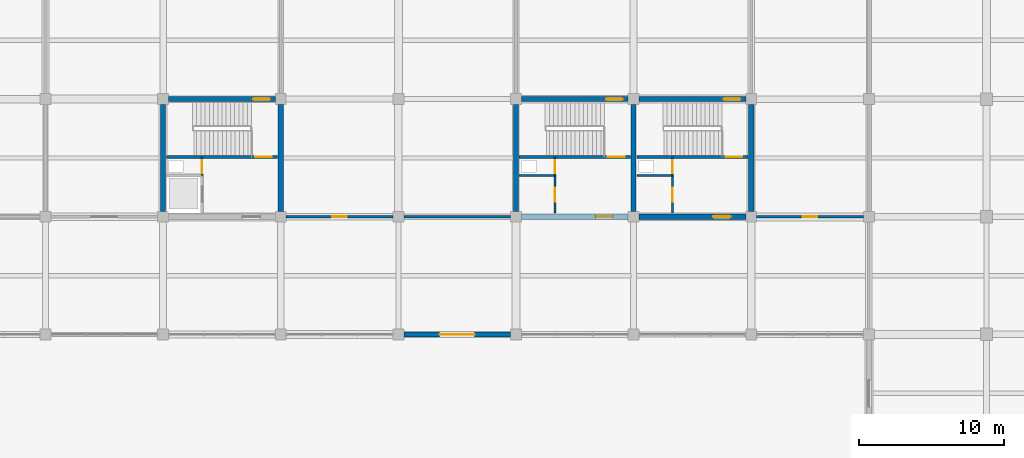
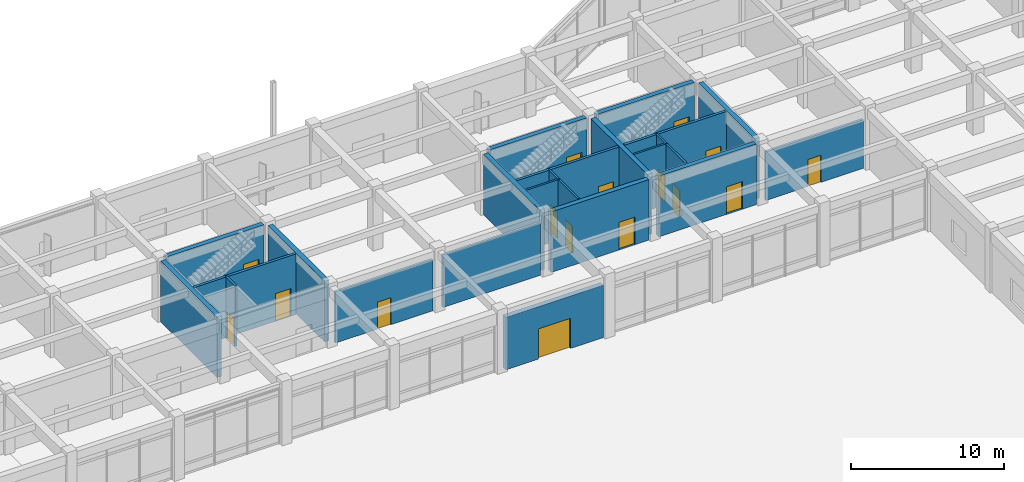
# One storey, part 67 of 99: 24 walls, 16 doors, 16 openings.
"""IFC4 building model written with IfcOpenShell, lengths in metres."""

from ifc_helpers import new_model, si_unit, direction, frame, frame_2d, origin, place, context, subcontext, project, spatial, rectangle, extrude, material, layer, layer_set, type_object, element, fill, save


model = new_model("IFC4")

# Units and contexts
model_context = context("Model", 3, precision=1e-05, world=origin(), true_north=direction((0.0, 1.0)))
body_context = subcontext(model_context, "Body", "Model", "MODEL_VIEW")
ifc_project = project(units=[si_unit("LENGTHUNIT", "METRE"), si_unit("AREAUNIT", "SQUARE_METRE"), si_unit("VOLUMEUNIT", "CUBIC_METRE"), si_unit("PLANEANGLEUNIT", "RADIAN"), si_unit("MASSUNIT", "GRAM", prefix="KILO")], contexts=[model_context])

# Site, building, storey
site_placement = place(None, origin())
site = spatial("IfcSite", under=ifc_project, at=site_placement, CompositionType="ELEMENT")
building_placement = place(site_placement, origin())
building = spatial("IfcBuilding", under=site, at=building_placement, Name="Vaudrelin Polytechnic", CompositionType="ELEMENT")
storey_placement = place(building_placement, origin())
storey = spatial("IfcBuildingStorey", under=building, at=storey_placement, Name="L00", CompositionType="ELEMENT", Elevation=0.0)

# Wall, opening, door
ifc_material_1 = material(Name="Precast concrete 35 MPa with standing-seam zinc rainscreen", Category="concrete")
ifc_layer_1 = layer(ifc_material_1, 0.360107421875)
ifc_layer_set_1 = layer_set([ifc_layer_1], Name="Precast concrete 35 MPa with standing-seam zinc rainscreen")
wall_type_1 = type_object("IfcWallType", Name="WAL-EW-ZINC360", PredefinedType="STANDARD", material=ifc_layer_set_1)
wall_1_placement = place(storey_placement, frame((97.572998046875, 97.199951171875, 0.0), z_axis=(0.0, 0.0, 1.0), x_axis=(1.0, 0.0, 0.0)))
wall_1 = element("IfcWall", 1, at=wall_1_placement, inside=storey, type_object=wall_type_1, Name="Exterior wall L00 CT_N_08", PredefinedType="STANDARD", context=body_context, shape_type="SweptSolid", body=[
    extrude(rectangle(XDim=7.35400390625, YDim=0.360107421875, at=frame_2d((3.677001953125, 0.0))), origin(), (0.0, 0.0, 1.0), 4.172119140625),
])
opening_1_placement = place(wall_1_placement, frame((4.876953125, 0.0, 0.0), z_axis=(0.0, 0.0, 1.0), x_axis=(-1.0, 0.0, 0.0)))
opening_1 = element("IfcOpeningElement", 2, at=opening_1_placement, cuts=wall_1, Name="Opening ED-00-27", PredefinedType="OPENING", context=body_context, shape_type="SweptSolid", body=[
    extrude(rectangle(XDim=2.39990234375, YDim=2.39990234375, at=frame_2d((1.199951171875, 1.199951171875))), frame((0.0, 0.18994140625, 0.0), z_axis=(0.0, -1.0, 0.0), x_axis=(1.0, 0.0, 0.0)), (0.0, 0.0, 1.0), 0.380126953125),
])
ifc_material_2 = material(Name="Thermally broken anodised aluminium AA 6063-T6", Category="aluminium")
door_type_1 = type_object("IfcDoorType", Name="DOR-ED-01", OperationType="DOUBLE_SWING_LEFT", PredefinedType="DOOR", material=ifc_material_2)
door_1_placement = place(opening_1_placement, origin())
door_1 = element("IfcDoor", 3, at=door_1_placement, inside=storey, type_object=door_type_1, Name="Exterior exit door ED-00-27", OperationType="DOUBLE_SWING_LEFT", OverallHeight=2.39990234375, OverallWidth=2.39990234375, PredefinedType="DOOR", context=body_context, shape_type="SweptSolid", body=[
    extrude(rectangle(XDim=2.39990234375, YDim=2.39990234375, at=frame_2d((1.199951171875, 1.199951171875))), frame((0.0, 0.02490234375, 0.0), z_axis=(0.0, -1.0, 0.0), x_axis=(1.0, 0.0, 0.0)), (0.0, 0.0, 1.0), 0.050048828125),
])
fill(opening_1, door_1)

ifc_material_3 = material(Name="Acoustic double-stud gypsum & mineral-wool partition", Category="gypsum")
ifc_layer_2 = layer(ifc_material_3, 0.179931640625)
ifc_layer_set_2 = layer_set([ifc_layer_2], Name="Acoustic double-stud gypsum & mineral-wool partition")
wall_type_2 = type_object("IfcWallType", Name="WAL-PW-AC180", PredefinedType="PARTITIONING", material=ifc_layer_set_2)
wall_2_placement = place(storey_placement, frame((89.472900390625, 105.300048828125, 0.0), z_axis=(0.0, 0.0, 1.0), x_axis=(1.0, 0.0, 0.0)))
wall_2 = element("IfcWall", 4, at=wall_2_placement, inside=storey, type_object=wall_type_2, Name="Partition L00-018 S", PredefinedType="PARTITIONING", context=body_context, shape_type="SweptSolid", body=[
    extrude(rectangle(XDim=7.35400390625, YDim=0.179931640625, at=frame_2d((3.677001953125, 0.0))), origin(), (0.0, 0.0, 1.0), 4.072021484375),
])
opening_2_placement = place(wall_2_placement, frame((3.177001953125, 0.0, 0.0)))
opening_2 = element("IfcOpeningElement", 5, at=opening_2_placement, cuts=wall_2, Name="Opening D-L00-433", PredefinedType="OPENING", context=body_context, shape_type="SweptSolid", body=[
    extrude(rectangle(XDim=1.0, YDim=2.14990234375, at=frame_2d((0.5, 1.074951171875))), frame((0.0, 0.10009765625, 0.0), z_axis=(0.0, -1.0, 0.0), x_axis=(1.0, 0.0, 0.0)), (0.0, 0.0, 1.0), 0.199951171875),
])
ifc_material_4 = material(Name="Solid-core birch veneer acoustic leaf", Category="wood")
door_type_2 = type_object("IfcDoorType", Name="DOR-ID-SEM1", OperationType="NOTDEFINED", PredefinedType="DOOR", material=ifc_material_4)
door_2_placement = place(opening_2_placement, origin())
door_2 = element("IfcDoor", 6, at=door_2_placement, inside=storey, type_object=door_type_2, Name="Seminar Room 002 door L00-018", OperationType="SINGLE_SWING_LEFT", OverallHeight=2.14990234375, OverallWidth=1.0, PredefinedType="DOOR", context=body_context, shape_type="SweptSolid", body=[
    extrude(rectangle(XDim=1.0, YDim=2.14990234375, at=frame_2d((0.5, 1.074951171875))), frame((0.0, 0.02490234375, 0.0), z_axis=(0.0, -1.0, 0.0), x_axis=(1.0, 0.0, 0.0)), (0.0, 0.0, 1.0), 0.050048828125),
])
fill(opening_2, door_2)

# Wall
wall_3_placement = place(storey_placement, frame((97.572998046875, 105.300048828125, 0.0), z_axis=(0.0, 0.0, 1.0), x_axis=(1.0, 0.0, 0.0)))
element("IfcWall", 7, at=wall_3_placement, inside=storey, type_object=wall_type_2, Name="Partition L00-018 S", PredefinedType="PARTITIONING", context=body_context, shape_type="SweptSolid", body=[
    extrude(rectangle(XDim=7.35400390625, YDim=0.179931640625, at=frame_2d((3.677001953125, 0.0))), origin(), (0.0, 0.0, 1.0), 4.172119140625),
])

# Wall, opening, door
wall_4_placement = place(storey_placement, frame((121.873046875, 105.300048828125, 0.0), z_axis=(0.0, 0.0, 1.0), x_axis=(1.0, 0.0, 0.0)))
wall_4 = element("IfcWall", 8, at=wall_4_placement, inside=storey, type_object=wall_type_2, Name="Partition L00-019 S", PredefinedType="PARTITIONING", context=body_context, shape_type="SweptSolid", body=[
    extrude(rectangle(XDim=7.35400390625, YDim=0.179931640625, at=frame_2d((3.677001953125, 0.0))), origin(), (0.0, 0.0, 1.0), 3.8720703125),
])
opening_3_placement = place(wall_4_placement, frame((3.177001953125, 0.0, 0.0)))
opening_3 = element("IfcOpeningElement", 9, at=opening_3_placement, cuts=wall_4, Name="Opening D-L00-434", PredefinedType="OPENING", context=body_context, shape_type="SweptSolid", body=[
    extrude(rectangle(XDim=1.0, YDim=2.14990234375, at=frame_2d((0.5, 1.074951171875))), frame((0.0, 0.10009765625, 0.0), z_axis=(0.0, -1.0, 0.0), x_axis=(1.0, 0.0, 0.0)), (0.0, 0.0, 1.0), 0.199951171875),
])
door_3_placement = place(opening_3_placement, origin())
door_3 = element("IfcDoor", 10, at=door_3_placement, inside=storey, type_object=door_type_2, Name="Seminar Room 005 door L00-019", OperationType="SINGLE_SWING_RIGHT", OverallHeight=2.14990234375, OverallWidth=1.0, PredefinedType="DOOR", context=body_context, shape_type="SweptSolid", body=[
    extrude(rectangle(XDim=1.0, YDim=2.14990234375, at=frame_2d((0.5, 1.074951171875))), frame((0.0, 0.02490234375, 0.0), z_axis=(0.0, -1.0, 0.0), x_axis=(1.0, 0.0, 0.0)), (0.0, 0.0, 1.0), 0.050048828125),
])
fill(opening_3, door_3)

ifc_material_5 = material(Name="Fire-rated steel-stud gypsum compartment wall", Category="steel")
ifc_layer_3 = layer(ifc_material_5, 0.14990234375)
ifc_layer_set_3 = layer_set([ifc_layer_3], Name="Fire-rated steel-stud gypsum compartment wall")
wall_type_3 = type_object("IfcWallType", Name="WAL-PW-FIRE60", PredefinedType="PARTITIONING", material=ifc_layer_set_3)
wall_5_placement = place(storey_placement, frame((83.679931640625, 108.14990234375, 0.0), z_axis=(0.0, 0.0, 1.0), x_axis=(0.0, 1.0, 0.0)))
wall_5 = element("IfcWall", 11, at=wall_5_placement, inside=storey, type_object=wall_type_3, Name="Core C2 riser enclosure wall L00", PredefinedType="PARTITIONING", context=body_context, shape_type="SweptSolid", body=[
    extrude(rectangle(XDim=1.260009765625, YDim=0.14990234375, at=frame_2d((0.6298828125, 0.0))), origin(), (0.0, 0.0, 1.0), 4.822021484375),
])
opening_4_placement = place(wall_5_placement, frame((0.139892578125, 0.0, 0.0)))
opening_4 = element("IfcOpeningElement", 12, at=opening_4_placement, cuts=wall_5, Name="Opening D-L00-029", PredefinedType="OPENING", context=body_context, shape_type="SweptSolid", body=[
    extrude(rectangle(XDim=0.89990234375, YDim=2.14990234375, at=frame_2d((0.449951171875, 1.074951171875))), frame((0.0, 0.0849609375, 0.0), z_axis=(0.0, -1.0, 0.0), x_axis=(1.0, 0.0, 0.0)), (0.0, 0.0, 1.0), 0.169921875),
])
ifc_material_6 = material(Name="Pressed galvanised steel acoustic leaf", Category="steel")
door_type_3 = type_object("IfcDoorType", Name="DOR-ID-RSR1", OperationType="NOTDEFINED", PredefinedType="DOOR", material=ifc_material_6)
door_4_placement = place(opening_4_placement, origin())
door_4 = element("IfcDoor", 13, at=door_4_placement, inside=storey, type_object=door_type_3, Name="Core C2 riser access door L00", OperationType="SINGLE_SWING_RIGHT", OverallHeight=2.14990234375, OverallWidth=0.89990234375, PredefinedType="DOOR", context=body_context, shape_type="SweptSolid", body=[
    extrude(rectangle(XDim=0.89990234375, YDim=2.14990234375, at=frame_2d((0.449951171875, 1.074951171875))), frame((0.0, 0.02490234375, 0.0), z_axis=(0.0, -1.0, 0.0), x_axis=(1.0, 0.0, 0.0)), (0.0, 0.0, 1.0), 0.050048828125),
])
fill(opening_4, door_4)

wall_6_placement = place(storey_placement, frame((116.080078125, 108.14990234375, 0.0), z_axis=(0.0, 0.0, 1.0), x_axis=(0.0, 1.0, 0.0)))
wall_6 = element("IfcWall", 14, at=wall_6_placement, inside=storey, type_object=wall_type_3, Name="Core C10 riser enclosure wall L00", PredefinedType="PARTITIONING", context=body_context, shape_type="SweptSolid", body=[
    extrude(rectangle(XDim=1.260009765625, YDim=0.14990234375, at=frame_2d((0.6298828125, 0.0))), origin(), (0.0, 0.0, 1.0), 4.822021484375),
])
opening_5_placement = place(wall_6_placement, frame((0.139892578125, 0.0, 0.0)))
opening_5 = element("IfcOpeningElement", 15, at=opening_5_placement, cuts=wall_6, Name="Opening D-L00-210", PredefinedType="OPENING", context=body_context, shape_type="SweptSolid", body=[
    extrude(rectangle(XDim=0.89990234375, YDim=2.14990234375, at=frame_2d((0.449951171875, 1.074951171875))), frame((0.0, 0.0849609375, 0.0), z_axis=(0.0, -1.0, 0.0), x_axis=(1.0, 0.0, 0.0)), (0.0, 0.0, 1.0), 0.169921875),
])
door_5_placement = place(opening_5_placement, origin())
door_5 = element("IfcDoor", 16, at=door_5_placement, inside=storey, type_object=door_type_3, Name="Core C10 riser access door L00", OperationType="SINGLE_SWING_RIGHT", OverallHeight=2.14990234375, OverallWidth=0.89990234375, PredefinedType="DOOR", context=body_context, shape_type="SweptSolid", body=[
    extrude(rectangle(XDim=0.89990234375, YDim=2.14990234375, at=frame_2d((0.449951171875, 1.074951171875))), frame((0.0, 0.02490234375, 0.0), z_axis=(0.0, -1.0, 0.0), x_axis=(1.0, 0.0, 0.0)), (0.0, 0.0, 1.0), 0.050048828125),
])
fill(opening_5, door_5)

# Wall
wall_7_placement = place(storey_placement, frame((113.6201171875, 108.14990234375, 0.0), z_axis=(0.0, 0.0, 1.0), x_axis=(1.0, 0.0, 0.0)))
element("IfcWall", 17, at=wall_7_placement, inside=storey, type_object=wall_type_3, Name="Core C10 riser south fire wall L00", PredefinedType="PARTITIONING", context=body_context, shape_type="SweptSolid", body=[
    extrude(rectangle(XDim=2.52978515625, YDim=0.14990234375, at=frame_2d((1.264892578125, 0.0))), origin(), (0.0, 0.0, 1.0), 4.822021484375),
])

# Wall, opening, door
wall_8_placement = place(storey_placement, frame((116.080078125, 105.550048828125, 0.0), z_axis=(0.0, 0.0, 1.0), x_axis=(0.0, 1.0, 0.0)))
wall_8 = element("IfcWall", 18, at=wall_8_placement, inside=storey, type_object=wall_type_3, Name="Core C10 custodial enclosure wall L00", PredefinedType="PARTITIONING", context=body_context, shape_type="SweptSolid", body=[
    extrude(rectangle(XDim=2.599853515625, YDim=0.14990234375, at=frame_2d((1.2998046875, 0.0))), origin(), (0.0, 0.0, 1.0), 4.822021484375),
])
opening_6_placement = place(wall_8_placement, frame((0.800048828125, 0.0, 0.0)))
opening_6 = element("IfcOpeningElement", 19, at=opening_6_placement, cuts=wall_8, Name="Opening D-L00-211", PredefinedType="OPENING", context=body_context, shape_type="SweptSolid", body=[
    extrude(rectangle(XDim=0.949951171875, YDim=2.14990234375, at=frame_2d((0.47509765625, 1.074951171875))), frame((0.0, 0.0849609375, 0.0), z_axis=(0.0, -1.0, 0.0), x_axis=(1.0, 0.0, 0.0)), (0.0, 0.0, 1.0), 0.169921875),
])
door_type_4 = type_object("IfcDoorType", Name="DOR-ID-STR1", OperationType="NOTDEFINED", PredefinedType="DOOR", material=ifc_material_6)
door_6_placement = place(opening_6_placement, origin())
door_6 = element("IfcDoor", 20, at=door_6_placement, inside=storey, type_object=door_type_4, Name="Core C10 custodial door L00", OperationType="SINGLE_SWING_RIGHT", OverallHeight=2.14990234375, OverallWidth=0.949951171875, PredefinedType="DOOR", context=body_context, shape_type="SweptSolid", body=[
    extrude(rectangle(XDim=0.949951171875, YDim=2.14990234375, at=frame_2d((0.47509765625, 1.074951171875))), frame((0.0, 0.02490234375, 0.0), z_axis=(0.0, -1.0, 0.0), x_axis=(1.0, 0.0, 0.0)), (0.0, 0.0, 1.0), 0.050048828125),
])
fill(opening_6, door_6)

wall_9_placement = place(storey_placement, frame((107.97998046875, 108.14990234375, 0.0), z_axis=(0.0, 0.0, 1.0), x_axis=(0.0, 1.0, 0.0)))
wall_9 = element("IfcWall", 21, at=wall_9_placement, inside=storey, type_object=wall_type_3, Name="Core C11 riser enclosure wall L00", PredefinedType="PARTITIONING", context=body_context, shape_type="SweptSolid", body=[
    extrude(rectangle(XDim=1.260009765625, YDim=0.14990234375, at=frame_2d((0.6298828125, 0.0))), origin(), (0.0, 0.0, 1.0), 4.822021484375),
])
opening_7_placement = place(wall_9_placement, frame((0.139892578125, 0.0, 0.0)))
opening_7 = element("IfcOpeningElement", 22, at=opening_7_placement, cuts=wall_9, Name="Opening D-L00-239", PredefinedType="OPENING", context=body_context, shape_type="SweptSolid", body=[
    extrude(rectangle(XDim=0.89990234375, YDim=2.14990234375, at=frame_2d((0.449951171875, 1.074951171875))), frame((0.0, 0.0849609375, 0.0), z_axis=(0.0, -1.0, 0.0), x_axis=(1.0, 0.0, 0.0)), (0.0, 0.0, 1.0), 0.169921875),
])
door_7_placement = place(opening_7_placement, origin())
door_7 = element("IfcDoor", 23, at=door_7_placement, inside=storey, type_object=door_type_3, Name="Core C11 riser access door L00", OperationType="SINGLE_SWING_RIGHT", OverallHeight=2.14990234375, OverallWidth=0.89990234375, PredefinedType="DOOR", context=body_context, shape_type="SweptSolid", body=[
    extrude(rectangle(XDim=0.89990234375, YDim=2.14990234375, at=frame_2d((0.449951171875, 1.074951171875))), frame((0.0, 0.02490234375, 0.0), z_axis=(0.0, -1.0, 0.0), x_axis=(1.0, 0.0, 0.0)), (0.0, 0.0, 1.0), 0.050048828125),
])
fill(opening_7, door_7)

# Wall
wall_10_placement = place(storey_placement, frame((105.52001953125, 108.14990234375, 0.0), z_axis=(0.0, 0.0, 1.0), x_axis=(1.0, 0.0, 0.0)))
element("IfcWall", 24, at=wall_10_placement, inside=storey, type_object=wall_type_3, Name="Core C11 riser south fire wall L00", PredefinedType="PARTITIONING", context=body_context, shape_type="SweptSolid", body=[
    extrude(rectangle(XDim=2.530029296875, YDim=0.14990234375, at=frame_2d((1.26513671875, 0.0))), origin(), (0.0, 0.0, 1.0), 4.822021484375),
])

# Wall, opening, door
wall_11_placement = place(storey_placement, frame((107.97998046875, 105.550048828125, 0.0), z_axis=(0.0, 0.0, 1.0), x_axis=(0.0, 1.0, 0.0)))
wall_11 = element("IfcWall", 25, at=wall_11_placement, inside=storey, type_object=wall_type_3, Name="Core C11 custodial enclosure wall L00", PredefinedType="PARTITIONING", context=body_context, shape_type="SweptSolid", body=[
    extrude(rectangle(XDim=2.599853515625, YDim=0.14990234375, at=frame_2d((1.2998046875, 0.0))), origin(), (0.0, 0.0, 1.0), 4.822021484375),
])
opening_8_placement = place(wall_11_placement, frame((0.800048828125, 0.0, 0.0)))
opening_8 = element("IfcOpeningElement", 26, at=opening_8_placement, cuts=wall_11, Name="Opening D-L00-240", PredefinedType="OPENING", context=body_context, shape_type="SweptSolid", body=[
    extrude(rectangle(XDim=0.949951171875, YDim=2.14990234375, at=frame_2d((0.47509765625, 1.074951171875))), frame((0.0, 0.0849609375, 0.0), z_axis=(0.0, -1.0, 0.0), x_axis=(1.0, 0.0, 0.0)), (0.0, 0.0, 1.0), 0.169921875),
])
door_8_placement = place(opening_8_placement, origin())
door_8 = element("IfcDoor", 27, at=door_8_placement, inside=storey, type_object=door_type_4, Name="Core C11 custodial door L00", OperationType="SINGLE_SWING_RIGHT", OverallHeight=2.14990234375, OverallWidth=0.949951171875, PredefinedType="DOOR", context=body_context, shape_type="SweptSolid", body=[
    extrude(rectangle(XDim=0.949951171875, YDim=2.14990234375, at=frame_2d((0.47509765625, 1.074951171875))), frame((0.0, 0.02490234375, 0.0), z_axis=(0.0, -1.0, 0.0), x_axis=(1.0, 0.0, 0.0)), (0.0, 0.0, 1.0), 0.050048828125),
])
fill(opening_8, door_8)

ifc_material_7 = material(Name="Concrete 40 MPa", Category="concrete")
ifc_layer_4 = layer(ifc_material_7, 0.199951171875)
ifc_layer_set_4 = layer_set([ifc_layer_4], Name="Concrete 40 MPa")
wall_type_4 = type_object("IfcWallType", Name="WAL-SW-CORE200", PredefinedType="SHEAR", material=ifc_layer_set_4)
wall_12_placement = place(storey_placement, frame((81.219970703125, 109.409912109375, 0.0), z_axis=(0.0, 0.0, 1.0), x_axis=(1.0, 0.0, 0.0)))
wall_12 = element("IfcWall", 28, at=wall_12_placement, inside=storey, type_object=wall_type_4, Name="Core C2 stair enclosure wall L00", PredefinedType="SHEAR", context=body_context, shape_type="SweptSolid", body=[
    extrude(rectangle(XDim=7.659912109375, YDim=0.199951171875, at=frame_2d((3.830078125, 0.0))), origin(), (0.0, 0.0, 1.0), 4.822021484375),
])
opening_9_placement = place(wall_12_placement, frame((6.110107421875, 0.0, 0.0)))
opening_9 = element("IfcOpeningElement", 29, at=opening_9_placement, cuts=wall_12, Name="Opening D-L00-028", PredefinedType="OPENING", context=body_context, shape_type="SweptSolid", body=[
    extrude(rectangle(XDim=1.14990234375, YDim=2.199951171875, at=frame_2d((0.574951171875, 1.10009765625))), frame((0.0, 0.10986328125, 0.0), z_axis=(0.0, -1.0, 0.0), x_axis=(1.0, 0.0, 0.0)), (0.0, 0.0, 1.0), 0.219970703125),
])
door_type_5 = type_object("IfcDoorType", Name="DOR-ID-ST1", OperationType="NOTDEFINED", PredefinedType="DOOR", material=ifc_material_6)
door_9_placement = place(opening_9_placement, origin())
door_9 = element("IfcDoor", 30, at=door_9_placement, inside=storey, type_object=door_type_5, Name="Core C2 exit stair door L00", OperationType="SINGLE_SWING_LEFT", OverallHeight=2.199951171875, OverallWidth=1.14990234375, PredefinedType="DOOR", context=body_context, shape_type="SweptSolid", body=[
    extrude(rectangle(XDim=1.14990234375, YDim=2.199951171875, at=frame_2d((0.574951171875, 1.10009765625))), frame((0.0, 0.02490234375, 0.0), z_axis=(0.0, -1.0, 0.0), x_axis=(1.0, 0.0, 0.0)), (0.0, 0.0, 1.0), 0.050048828125),
])
fill(opening_9, door_9)

wall_13_placement = place(storey_placement, frame((113.6201171875, 109.409912109375, 0.0), z_axis=(0.0, 0.0, 1.0), x_axis=(1.0, 0.0, 0.0)))
wall_13 = element("IfcWall", 31, at=wall_13_placement, inside=storey, type_object=wall_type_4, Name="Core C10 stair enclosure wall L00", PredefinedType="SHEAR", context=body_context, shape_type="SweptSolid", body=[
    extrude(rectangle(XDim=7.659912109375, YDim=0.199951171875, at=frame_2d((3.830078125, 0.0))), origin(), (0.0, 0.0, 1.0), 4.822021484375),
])
opening_10_placement = place(wall_13_placement, frame((6.110107421875, 0.0, 0.0)))
opening_10 = element("IfcOpeningElement", 32, at=opening_10_placement, cuts=wall_13, Name="Opening D-L00-209", PredefinedType="OPENING", context=body_context, shape_type="SweptSolid", body=[
    extrude(rectangle(XDim=1.14990234375, YDim=2.199951171875, at=frame_2d((0.574951171875, 1.10009765625))), frame((0.0, 0.10986328125, 0.0), z_axis=(0.0, -1.0, 0.0), x_axis=(1.0, 0.0, 0.0)), (0.0, 0.0, 1.0), 0.219970703125),
])
door_10_placement = place(opening_10_placement, origin())
door_10 = element("IfcDoor", 33, at=door_10_placement, inside=storey, type_object=door_type_5, Name="Core C10 exit stair door L00", OperationType="SINGLE_SWING_LEFT", OverallHeight=2.199951171875, OverallWidth=1.14990234375, PredefinedType="DOOR", context=body_context, shape_type="SweptSolid", body=[
    extrude(rectangle(XDim=1.14990234375, YDim=2.199951171875, at=frame_2d((0.574951171875, 1.10009765625))), frame((0.0, 0.02490234375, 0.0), z_axis=(0.0, -1.0, 0.0), x_axis=(1.0, 0.0, 0.0)), (0.0, 0.0, 1.0), 0.050048828125),
])
fill(opening_10, door_10)

wall_14_placement = place(storey_placement, frame((105.52001953125, 109.409912109375, 0.0), z_axis=(0.0, 0.0, 1.0), x_axis=(1.0, 0.0, 0.0)))
wall_14 = element("IfcWall", 34, at=wall_14_placement, inside=storey, type_object=wall_type_4, Name="Core C11 stair enclosure wall L00", PredefinedType="SHEAR", context=body_context, shape_type="SweptSolid", body=[
    extrude(rectangle(XDim=7.659912109375, YDim=0.199951171875, at=frame_2d((3.830078125, 0.0))), origin(), (0.0, 0.0, 1.0), 4.822021484375),
])
opening_11_placement = place(wall_14_placement, frame((6.110107421875, 0.0, 0.0)))
opening_11 = element("IfcOpeningElement", 35, at=opening_11_placement, cuts=wall_14, Name="Opening D-L00-238", PredefinedType="OPENING", context=body_context, shape_type="SweptSolid", body=[
    extrude(rectangle(XDim=1.14990234375, YDim=2.199951171875, at=frame_2d((0.574951171875, 1.10009765625))), frame((0.0, 0.10986328125, 0.0), z_axis=(0.0, -1.0, 0.0), x_axis=(1.0, 0.0, 0.0)), (0.0, 0.0, 1.0), 0.219970703125),
])
door_11_placement = place(opening_11_placement, origin())
door_11 = element("IfcDoor", 36, at=door_11_placement, inside=storey, type_object=door_type_5, Name="Core C11 exit stair door L00", OperationType="SINGLE_SWING_LEFT", OverallHeight=2.199951171875, OverallWidth=1.14990234375, PredefinedType="DOOR", context=body_context, shape_type="SweptSolid", body=[
    extrude(rectangle(XDim=1.14990234375, YDim=2.199951171875, at=frame_2d((0.574951171875, 1.10009765625))), frame((0.0, 0.02490234375, 0.0), z_axis=(0.0, -1.0, 0.0), x_axis=(1.0, 0.0, 0.0)), (0.0, 0.0, 1.0), 0.050048828125),
])
fill(opening_11, door_11)

ifc_material_8 = material(Name="Concrete 50 MPa", Category="concrete")
ifc_layer_5 = layer(ifc_material_8, 0.35009765625)
ifc_layer_set_5 = layer_set([ifc_layer_5], Name="Concrete 50 MPa")
wall_type_5 = type_object("IfcWallType", Name="WAL-SW-CORE350", PredefinedType="SHEAR", material=ifc_layer_set_5)
wall_15_placement = place(storey_placement, frame((81.373046875, 113.39990234375, 0.0), z_axis=(0.0, 0.0, 1.0), x_axis=(1.0, 0.0, 0.0)))
wall_15 = element("IfcWall", 37, at=wall_15_placement, inside=storey, type_object=wall_type_5, Name="Core C2 N shear wall L00", PredefinedType="SHEAR", context=body_context, shape_type="SweptSolid", body=[
    extrude(rectangle(XDim=7.35400390625, YDim=0.35009765625, at=frame_2d((3.677001953125, 0.0))), origin(), (0.0, 0.0, 1.0), 4.822021484375),
])
opening_12_placement = place(wall_15_placement, frame((5.826904296875, 0.0, 0.0)))
opening_12 = element("IfcOpeningElement", 38, at=opening_12_placement, cuts=wall_15, Name="Opening D-L00-026", PredefinedType="OPENING", context=body_context, shape_type="SweptSolid", body=[
    extrude(rectangle(XDim=1.14990234375, YDim=2.199951171875, at=frame_2d((0.574951171875, 1.10009765625))), frame((0.0, 0.18505859375, 0.0), z_axis=(0.0, -1.0, 0.0), x_axis=(1.0, 0.0, 0.0)), (0.0, 0.0, 1.0), 0.3701171875),
])
door_12_placement = place(opening_12_placement, origin())
door_12 = element("IfcDoor", 39, at=door_12_placement, inside=storey, type_object=door_type_5, Name="Core C2 ground exit discharge door L00", OperationType="SINGLE_SWING_LEFT", OverallHeight=2.199951171875, OverallWidth=1.14990234375, PredefinedType="DOOR", context=body_context, shape_type="SweptSolid", body=[
    extrude(rectangle(XDim=1.14990234375, YDim=2.199951171875, at=frame_2d((0.574951171875, 1.10009765625))), frame((0.0, 0.02490234375, 0.0), z_axis=(0.0, -1.0, 0.0), x_axis=(1.0, 0.0, 0.0)), (0.0, 0.0, 1.0), 0.050048828125),
])
fill(opening_12, door_12)

# Walls
for number, where, z_axis, x_axis, name in (
    (40, (81.0, 105.673095703125, 0.0), (0.0, 0.0, 1.0), (0.0, 1.0, 0.0), "Core C2 W shear wall L00"),
    (41, (89.10009765625, 105.673095703125, 0.0), (0.0, 0.0, 1.0), (0.0, 1.0, 0.0), "Core C2 E shear wall L00"),
):
    element("IfcWall", number, at=place(storey_placement, frame(where, z_axis=z_axis, x_axis=x_axis)), inside=storey, type_object=wall_type_5, Name=name, PredefinedType="SHEAR", context=body_context, shape_type="SweptSolid", body=[
        extrude(rectangle(XDim=7.35400390625, YDim=0.35009765625, at=frame_2d((3.677001953125, 0.0))), origin(), (0.0, 0.0, 1.0), 4.822021484375),
    ])

# Wall, opening, door
wall_16_placement = place(storey_placement, frame((113.77294921875, 113.39990234375, 0.0), z_axis=(0.0, 0.0, 1.0), x_axis=(1.0, 0.0, 0.0)))
wall_16 = element("IfcWall", 42, at=wall_16_placement, inside=storey, type_object=wall_type_5, Name="Core C10 N shear wall L00", PredefinedType="SHEAR", context=body_context, shape_type="SweptSolid", body=[
    extrude(rectangle(XDim=7.35400390625, YDim=0.35009765625, at=frame_2d((3.677001953125, 0.0))), origin(), (0.0, 0.0, 1.0), 4.822021484375),
])
opening_13_placement = place(wall_16_placement, frame((5.826904296875, 0.0, 0.0)))
opening_13 = element("IfcOpeningElement", 43, at=opening_13_placement, cuts=wall_16, Name="Opening D-L00-207", PredefinedType="OPENING", context=body_context, shape_type="SweptSolid", body=[
    extrude(rectangle(XDim=1.14990234375, YDim=2.199951171875, at=frame_2d((0.574951171875, 1.10009765625))), frame((0.0, 0.18505859375, 0.0), z_axis=(0.0, -1.0, 0.0), x_axis=(1.0, 0.0, 0.0)), (0.0, 0.0, 1.0), 0.3701171875),
])
door_13_placement = place(opening_13_placement, origin())
door_13 = element("IfcDoor", 44, at=door_13_placement, inside=storey, type_object=door_type_5, Name="Core C10 ground exit discharge door L00", OperationType="SINGLE_SWING_LEFT", OverallHeight=2.199951171875, OverallWidth=1.14990234375, PredefinedType="DOOR", context=body_context, shape_type="SweptSolid", body=[
    extrude(rectangle(XDim=1.14990234375, YDim=2.199951171875, at=frame_2d((0.574951171875, 1.10009765625))), frame((0.0, 0.02490234375, 0.0), z_axis=(0.0, -1.0, 0.0), x_axis=(1.0, 0.0, 0.0)), (0.0, 0.0, 1.0), 0.050048828125),
])
fill(opening_13, door_13)

# Walls
for number, where, z_axis, x_axis, name in (
    (45, (113.39990234375, 105.673095703125, 0.0), (0.0, 0.0, 1.0), (0.0, 1.0, 0.0), "Core C10 W shear wall L00"),
    (46, (121.5, 105.673095703125, 0.0), (0.0, 0.0, 1.0), (0.0, 1.0, 0.0), "Core C10 E shear wall L00"),
):
    element("IfcWall", number, at=place(storey_placement, frame(where, z_axis=z_axis, x_axis=x_axis)), inside=storey, type_object=wall_type_5, Name=name, PredefinedType="SHEAR", context=body_context, shape_type="SweptSolid", body=[
        extrude(rectangle(XDim=7.35400390625, YDim=0.35009765625, at=frame_2d((3.677001953125, 0.0))), origin(), (0.0, 0.0, 1.0), 4.822021484375),
    ])

# Wall, opening, door
wall_17_placement = place(storey_placement, frame((113.77294921875, 105.300048828125, 0.0), z_axis=(0.0, 0.0, 1.0), x_axis=(1.0, 0.0, 0.0)))
wall_17 = element("IfcWall", 47, at=wall_17_placement, inside=storey, type_object=wall_type_5, Name="Core C10 S shear wall L00", PredefinedType="SHEAR", context=body_context, shape_type="SweptSolid", body=[
    extrude(rectangle(XDim=7.35400390625, YDim=0.35009765625, at=frame_2d((3.677001953125, 0.0))), origin(), (0.0, 0.0, 1.0), 4.822021484375),
])
opening_14_placement = place(wall_17_placement, frame((5.10400390625, 0.0, 0.0)))
opening_14 = element("IfcOpeningElement", 48, at=opening_14_placement, cuts=wall_17, Name="Opening D-L00-208", PredefinedType="OPENING", context=body_context, shape_type="SweptSolid", body=[
    extrude(rectangle(XDim=1.199951171875, YDim=2.199951171875, at=frame_2d((0.60009765625, 1.10009765625))), frame((0.0, 0.18505859375, 0.0), z_axis=(0.0, -1.0, 0.0), x_axis=(1.0, 0.0, 0.0)), (0.0, 0.0, 1.0), 0.3701171875),
])
door_type_6 = type_object("IfcDoorType", Name="DOR-ID-LB1", OperationType="NOTDEFINED", PredefinedType="DOOR", material=ifc_material_6)
door_14_placement = place(opening_14_placement, origin())
door_14 = element("IfcDoor", 49, at=door_14_placement, inside=storey, type_object=door_type_6, Name="Core C10 lobby fire door L00", OperationType="SINGLE_SWING_LEFT", OverallHeight=2.199951171875, OverallWidth=1.199951171875, PredefinedType="DOOR", context=body_context, shape_type="SweptSolid", body=[
    extrude(rectangle(XDim=1.199951171875, YDim=2.199951171875, at=frame_2d((0.60009765625, 1.10009765625))), frame((0.0, 0.02490234375, 0.0), z_axis=(0.0, -1.0, 0.0), x_axis=(1.0, 0.0, 0.0)), (0.0, 0.0, 1.0), 0.050048828125),
])
fill(opening_14, door_14)

wall_18_placement = place(storey_placement, frame((105.673095703125, 113.39990234375, 0.0), z_axis=(0.0, 0.0, 1.0), x_axis=(1.0, 0.0, 0.0)))
wall_18 = element("IfcWall", 50, at=wall_18_placement, inside=storey, type_object=wall_type_5, Name="Core C11 N shear wall L00", PredefinedType="SHEAR", context=body_context, shape_type="SweptSolid", body=[
    extrude(rectangle(XDim=7.35400390625, YDim=0.35009765625, at=frame_2d((3.677001953125, 0.0))), origin(), (0.0, 0.0, 1.0), 4.822021484375),
])
opening_15_placement = place(wall_18_placement, frame((5.826904296875, 0.0, 0.0)))
opening_15 = element("IfcOpeningElement", 51, at=opening_15_placement, cuts=wall_18, Name="Opening D-L00-236", PredefinedType="OPENING", context=body_context, shape_type="SweptSolid", body=[
    extrude(rectangle(XDim=1.14990234375, YDim=2.199951171875, at=frame_2d((0.574951171875, 1.10009765625))), frame((0.0, 0.18505859375, 0.0), z_axis=(0.0, -1.0, 0.0), x_axis=(1.0, 0.0, 0.0)), (0.0, 0.0, 1.0), 0.3701171875),
])
door_15_placement = place(opening_15_placement, origin())
door_15 = element("IfcDoor", 52, at=door_15_placement, inside=storey, type_object=door_type_5, Name="Core C11 ground exit discharge door L00", OperationType="SINGLE_SWING_LEFT", OverallHeight=2.199951171875, OverallWidth=1.14990234375, PredefinedType="DOOR", context=body_context, shape_type="SweptSolid", body=[
    extrude(rectangle(XDim=1.14990234375, YDim=2.199951171875, at=frame_2d((0.574951171875, 1.10009765625))), frame((0.0, 0.02490234375, 0.0), z_axis=(0.0, -1.0, 0.0), x_axis=(1.0, 0.0, 0.0)), (0.0, 0.0, 1.0), 0.050048828125),
])
fill(opening_15, door_15)

# Wall
wall_19_placement = place(storey_placement, frame((105.300048828125, 105.673095703125, 0.0), z_axis=(0.0, 0.0, 1.0), x_axis=(0.0, 1.0, 0.0)))
element("IfcWall", 53, at=wall_19_placement, inside=storey, type_object=wall_type_5, Name="Core C11 W shear wall L00", PredefinedType="SHEAR", context=body_context, shape_type="SweptSolid", body=[
    extrude(rectangle(XDim=7.35400390625, YDim=0.35009765625, at=frame_2d((3.677001953125, 0.0))), origin(), (0.0, 0.0, 1.0), 4.822021484375),
])

# Wall, opening, door
wall_20_placement = place(storey_placement, frame((105.673095703125, 105.300048828125, 0.0), z_axis=(0.0, 0.0, 1.0), x_axis=(1.0, 0.0, 0.0)))
wall_20 = element("IfcWall", 54, at=wall_20_placement, inside=storey, type_object=wall_type_5, Name="Core C11 S shear wall L00", PredefinedType="SHEAR", context=body_context, shape_type="SweptSolid", body=[
    extrude(rectangle(XDim=7.35400390625, YDim=0.35009765625, at=frame_2d((3.677001953125, 0.0))), origin(), (0.0, 0.0, 1.0), 4.822021484375),
])
opening_16_placement = place(wall_20_placement, frame((5.10400390625, 0.0, 0.0)))
opening_16 = element("IfcOpeningElement", 55, at=opening_16_placement, cuts=wall_20, Name="Opening D-L00-237", PredefinedType="OPENING", context=body_context, shape_type="SweptSolid", body=[
    extrude(rectangle(XDim=1.199951171875, YDim=2.199951171875, at=frame_2d((0.60009765625, 1.10009765625))), frame((0.0, 0.18505859375, 0.0), z_axis=(0.0, -1.0, 0.0), x_axis=(1.0, 0.0, 0.0)), (0.0, 0.0, 1.0), 0.3701171875),
])
door_16_placement = place(opening_16_placement, origin())
door_16 = element("IfcDoor", 56, at=door_16_placement, inside=storey, type_object=door_type_6, Name="Core C11 lobby fire door L00", OperationType="SINGLE_SWING_RIGHT", OverallHeight=2.199951171875, OverallWidth=1.199951171875, PredefinedType="DOOR", context=body_context, shape_type="SweptSolid", body=[
    extrude(rectangle(XDim=1.199951171875, YDim=2.199951171875, at=frame_2d((0.60009765625, 1.10009765625))), frame((0.0, 0.02490234375, 0.0), z_axis=(0.0, -1.0, 0.0), x_axis=(1.0, 0.0, 0.0)), (0.0, 0.0, 1.0), 0.050048828125),
])
fill(opening_16, door_16)

save(model, "model.ifc")
